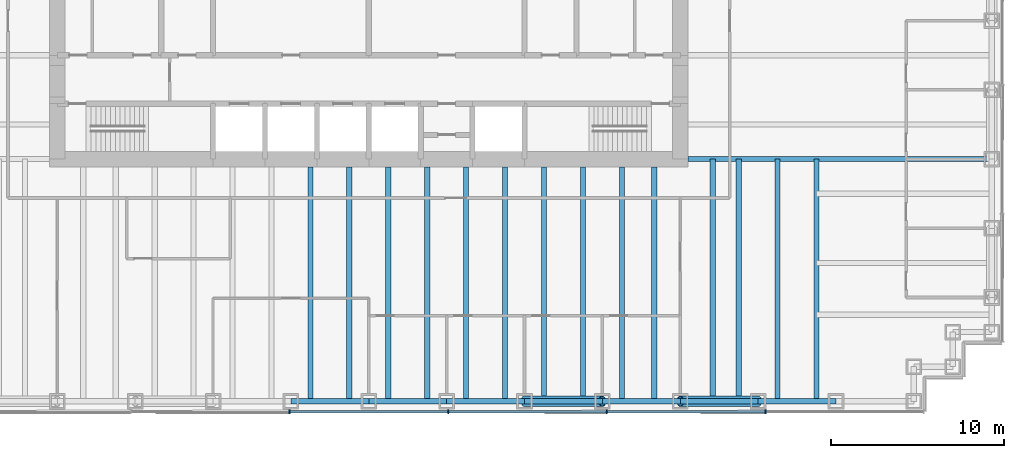
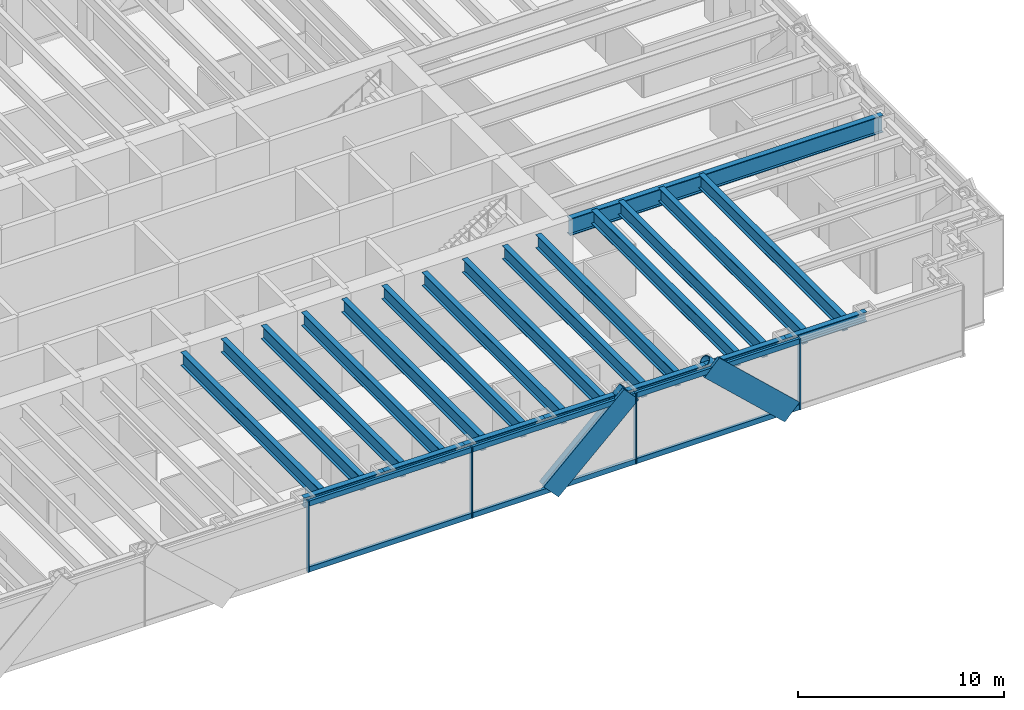
# One storey, part 4 of 15: 22 beams, 14 members, 1 element without a shape of its own.
"""IFC4 building model written with IfcOpenShell, lengths in metres."""

from ifc_helpers import new_model, si_unit, direction, frame, origin, origin_2d, place, context, subcontext, project, spatial, rectangle, hollow_circle, i_section, extrude, material, material_profile, profile_set, type_object, element, aggregate, save


model = new_model("IFC4")

# Units and contexts
model_context = context("Model", 3, precision=1e-05, world=origin(), true_north=direction((0.0, 1.0)))
body_context = subcontext(model_context, "Body", "Model", "MODEL_VIEW")
ifc_project = project(units=[si_unit("LENGTHUNIT", "METRE"), si_unit("AREAUNIT", "SQUARE_METRE"), si_unit("VOLUMEUNIT", "CUBIC_METRE"), si_unit("PLANEANGLEUNIT", "RADIAN"), si_unit("MASSUNIT", "GRAM", prefix="KILO")], contexts=[model_context])

# Site, building, storey
site_placement = place(None, origin())
site = spatial("IfcSite", under=ifc_project, at=site_placement, CompositionType="ELEMENT")
building_placement = place(site_placement, origin())
building = spatial("IfcBuilding", under=site, at=building_placement, Name="Rheinbord Bourse Tower", CompositionType="ELEMENT")
storey_placement = place(building_placement, frame((0.0, 0.0, 134.10009765625)))
storey = spatial("IfcBuildingStorey", under=building, at=storey_placement, Name="L29", CompositionType="ELEMENT", Elevation=134.10009765625)

# Curtain wall, members
ifc_material_1 = material(Name="Dark glass and black aluminium", Category="aluminium")
curtain_wall_type = type_object("IfcCurtainWallType", Name="CW2 DARK GLASS CURTAIN WALL", PredefinedType="USERDEFINED", material=ifc_material_1)
curtain_wall_placement = place(storey_placement, origin())
curtain_wall = element("IfcCurtainWall", 1, at=curtain_wall_placement, inside=storey, type_object=curtain_wall_type, Name="Curtain wall CW2 S L29", ObjectType="UNITISED CURTAIN WALL", PredefinedType="USERDEFINED")
ifc_material_2 = material(Name="Black anodised aluminium", Category="aluminium")
ifc_material_profile_1 = material_profile(ifc_material_2, rectangle(XDim=0.159912109375, YDim=1.2099609375, at=origin_2d()), Name="CW2 DIAGONAL MULLION 1210x160")
ifc_profile_set_1 = profile_set([ifc_material_profile_1], Name="Black anodised aluminium")
member_type_1 = type_object("IfcMemberType", Name="CW2 BLACK DIAGONAL MULLION", PredefinedType="USERDEFINED", material=ifc_profile_set_1)
member_1_placement = place(storey_placement, frame((58.5, 1.39990234375, 0.0), z_axis=(-0.73105922506, 0.0, 0.682314010889), x_axis=(0.0, -1.0, 0.0)))
member_1 = element("IfcMember", 2, at=member_1_placement, type_object=member_type_1, Name="CW2 diagonal mullion b", ObjectType="DIAGONAL MULLION", PredefinedType="USERDEFINED", context=body_context, shape_type="SweptSolid", body=[
    extrude(rectangle(XDim=0.159912109375, YDim=1.2099609375, at=origin_2d()), origin(), (0.0, 0.0, 1.0), 6.155517578125),
])
member_2_placement = place(storey_placement, frame((45.0, 1.39990234375, 0.0), z_axis=(0.73105922506, 0.0, 0.682314010889), x_axis=(0.0, 1.0, 0.0)))
member_2 = element("IfcMember", 3, at=member_2_placement, type_object=member_type_1, Name="CW2 diagonal mullion c", ObjectType="DIAGONAL MULLION", PredefinedType="USERDEFINED", context=body_context, shape_type="SweptSolid", body=[
    extrude(rectangle(XDim=0.159912109375, YDim=1.2099609375, at=origin_2d()), origin(), (0.0, 0.0, 1.0), 6.155517578125),
])
ifc_material_3 = material(Name="Black anodised aluminium", Category="aluminium")
ifc_material_profile_2 = material_profile(ifc_material_3, rectangle(XDim=0.219970703125, YDim=0.070068359375, at=origin_2d()), Name="CW2 MULLION 70x220")
ifc_profile_set_2 = profile_set([ifc_material_profile_2], Name="Black anodised aluminium")
member_type_2 = type_object("IfcMemberType", Name="CW2 BLACK MULLION", PredefinedType="MULLION", material=ifc_profile_set_2)
member_3_placement = place(storey_placement, frame((31.414306640625, 1.39990234375, 0.0), z_axis=(0.0, 0.0, 1.0), x_axis=(0.0, 1.0, 0.0)))
member_3 = element("IfcMember", 4, at=member_3_placement, type_object=member_type_2, Name="CW2 mullion 4", PredefinedType="MULLION", context=body_context, shape_type="SweptSolid", body=[
    extrude(rectangle(XDim=0.219970703125, YDim=0.070068359375, at=origin_2d()), origin(), (0.0, 0.0, 1.0), 4.199951171875),
])
member_4_placement = place(storey_placement, frame((40.585693359375, 1.39990234375, 0.0), z_axis=(0.0, 0.0, 1.0), x_axis=(0.0, 1.0, 0.0)))
member_4 = element("IfcMember", 5, at=member_4_placement, type_object=member_type_2, Name="CW2 mullion 5", PredefinedType="MULLION", context=body_context, shape_type="SweptSolid", body=[
    extrude(rectangle(XDim=0.219970703125, YDim=0.070068359375, at=origin_2d()), origin(), (0.0, 0.0, 1.0), 4.199951171875),
])
member_5_placement = place(storey_placement, frame((49.757080078125, 1.39990234375, 0.0), z_axis=(0.0, 0.0, 1.0), x_axis=(0.0, 1.0, 0.0)))
member_5 = element("IfcMember", 6, at=member_5_placement, type_object=member_type_2, Name="CW2 mullion 6", PredefinedType="MULLION", context=body_context, shape_type="SweptSolid", body=[
    extrude(rectangle(XDim=0.219970703125, YDim=0.070068359375, at=origin_2d()), origin(), (0.0, 0.0, 1.0), 4.199951171875),
])
member_6_placement = place(storey_placement, frame((58.928466796875, 1.39990234375, 0.0), z_axis=(0.0, 0.0, 1.0), x_axis=(0.0, 1.0, 0.0)))
member_6 = element("IfcMember", 7, at=member_6_placement, type_object=member_type_2, Name="CW2 mullion 7", PredefinedType="MULLION", context=body_context, shape_type="SweptSolid", body=[
    extrude(rectangle(XDim=0.219970703125, YDim=0.070068359375, at=origin_2d()), origin(), (0.0, 0.0, 1.0), 4.199951171875),
])
ifc_material_4 = material(Name="Black anodised aluminium", Category="aluminium")
ifc_material_profile_3 = material_profile(ifc_material_4, rectangle(XDim=0.159912109375, YDim=0.300048828125, at=origin_2d()), Name="CW2 TRANSOM 300x160")
ifc_profile_set_3 = profile_set([ifc_material_profile_3], Name="Black anodised aluminium")
member_type_3 = type_object("IfcMemberType", Name="CW2 BLACK TRANSOM", PredefinedType="USERDEFINED", material=ifc_profile_set_3)
member_7_placement = place(storey_placement, frame((31.44921875, 1.39990234375, 0.14990234375), z_axis=(1.0, 0.0, 0.0), x_axis=(0.0, 1.0, 0.0)))
member_7 = element("IfcMember", 8, at=member_7_placement, type_object=member_type_3, Name="CW2 transom 4.1", ObjectType="TRANSOM", PredefinedType="USERDEFINED", context=body_context, shape_type="SweptSolid", body=[
    extrude(rectangle(XDim=0.159912109375, YDim=0.300048828125, at=origin_2d()), origin(), (0.0, 0.0, 1.0), 9.1015625),
])
member_8_placement = place(storey_placement, frame((31.44921875, 1.39990234375, 4.0498046875), z_axis=(1.0, 0.0, 0.0), x_axis=(0.0, 1.0, 0.0)))
member_8 = element("IfcMember", 9, at=member_8_placement, type_object=member_type_3, Name="CW2 transom 4.2", ObjectType="TRANSOM", PredefinedType="USERDEFINED", context=body_context, shape_type="SweptSolid", body=[
    extrude(rectangle(XDim=0.159912109375, YDim=0.300048828125, at=origin_2d()), origin(), (0.0, 0.0, 1.0), 9.1015625),
])
member_9_placement = place(storey_placement, frame((40.62060546875, 1.39990234375, 0.14990234375), z_axis=(1.0, 0.0, 0.0), x_axis=(0.0, 1.0, 0.0)))
member_9 = element("IfcMember", 10, at=member_9_placement, type_object=member_type_3, Name="CW2 transom 5.1", ObjectType="TRANSOM", PredefinedType="USERDEFINED", context=body_context, shape_type="SweptSolid", body=[
    extrude(rectangle(XDim=0.159912109375, YDim=0.300048828125, at=origin_2d()), origin(), (0.0, 0.0, 1.0), 9.1015625),
])
member_10_placement = place(storey_placement, frame((40.62060546875, 1.39990234375, 4.0498046875), z_axis=(1.0, 0.0, 0.0), x_axis=(0.0, 1.0, 0.0)))
member_10 = element("IfcMember", 11, at=member_10_placement, type_object=member_type_3, Name="CW2 transom 5.2", ObjectType="TRANSOM", PredefinedType="USERDEFINED", context=body_context, shape_type="SweptSolid", body=[
    extrude(rectangle(XDim=0.159912109375, YDim=0.300048828125, at=origin_2d()), origin(), (0.0, 0.0, 1.0), 9.1015625),
])
member_11_placement = place(storey_placement, frame((49.792236328125, 1.39990234375, 0.14990234375), z_axis=(1.0, 0.0, 0.0), x_axis=(0.0, 1.0, 0.0)))
member_11 = element("IfcMember", 12, at=member_11_placement, type_object=member_type_3, Name="CW2 transom 6.1", ObjectType="TRANSOM", PredefinedType="USERDEFINED", context=body_context, shape_type="SweptSolid", body=[
    extrude(rectangle(XDim=0.159912109375, YDim=0.300048828125, at=origin_2d()), origin(), (0.0, 0.0, 1.0), 9.101318359375),
])
member_12_placement = place(storey_placement, frame((49.792236328125, 1.39990234375, 4.0498046875), z_axis=(1.0, 0.0, 0.0), x_axis=(0.0, 1.0, 0.0)))
member_12 = element("IfcMember", 13, at=member_12_placement, type_object=member_type_3, Name="CW2 transom 6.2", ObjectType="TRANSOM", PredefinedType="USERDEFINED", context=body_context, shape_type="SweptSolid", body=[
    extrude(rectangle(XDim=0.159912109375, YDim=0.300048828125, at=origin_2d()), origin(), (0.0, 0.0, 1.0), 9.101318359375),
])
aggregate(curtain_wall, [member_3, member_4, member_5, member_6, member_7, member_8, member_9, member_10, member_11, member_12, member_1, member_2])

# Beams
ifc_material_5 = material(Name="Steel S460", Category="steel")
ifc_material_profile_4 = material_profile(ifc_material_5, i_section(OverallWidth=0.300048828125, OverallDepth=0.800048828125, WebThickness=0.017578125, FlangeThickness=0.032958984375, at=origin_2d()), Name="HEB 800")
ifc_profile_set_4 = profile_set([ifc_material_profile_4], Name="Steel S460")
beam_type_1 = type_object("IfcBeamType", Name="FLOOR BEAM HEB 800", PredefinedType="BEAM", material=ifc_profile_set_4)
for number, where, z_axis, x_axis, name in (
    (14, (32.625, 2.0, 3.639892578125), (0.0, 1.0, 0.0), (-1.0, 0.0, 0.0), "Floor beam S-31.5a L30"),
    (15, (34.875, 2.0, 3.639892578125), (0.0, 1.0, 0.0), (-1.0, 0.0, 0.0), "Floor beam S-31.5b L30"),
    (16, (37.125, 2.0, 3.639892578125), (0.0, 1.0, 0.0), (-1.0, 0.0, 0.0), "Floor beam S-36a L30"),
    (17, (39.375, 2.0, 3.639892578125), (0.0, 1.0, 0.0), (-1.0, 0.0, 0.0), "Floor beam S-36b L30"),
    (18, (41.625, 2.0, 3.639892578125), (0.0, 1.0, 0.0), (-1.0, 0.0, 0.0), "Floor beam S-40.5a L30"),
    (19, (43.875, 2.0, 3.639892578125), (0.0, 1.0, 0.0), (-1.0, 0.0, 0.0), "Floor beam S-40.5b L30"),
    (20, (46.125, 2.0, 3.639892578125), (0.0, 1.0, 0.0), (-1.0, 0.0, 0.0), "Floor beam S-45a L30"),
    (21, (48.375, 2.0, 3.639892578125), (0.0, 1.0, 0.0), (-1.0, 0.0, 0.0), "Floor beam S-45b L30"),
    (22, (50.625, 2.0, 3.639892578125), (0.0, 1.0, 0.0), (-1.0, 0.0, 0.0), "Floor beam S-49.5a L30"),
    (23, (52.5, 2.0, 3.639892578125), (0.0, 1.0, 0.0), (-1.0, 0.0, 0.0), "Floor beam S-49.5b L30"),
):
    element("IfcBeam", number, at=place(storey_placement, frame(where, z_axis=z_axis, x_axis=x_axis)), inside=storey, type_object=beam_type_1, Name=name, PredefinedType="BEAM", context=body_context, shape_type="SweptSolid", body=[
        extrude(i_section(OverallWidth=0.300048828125, OverallDepth=0.800048828125, WebThickness=0.017578125, FlangeThickness=0.032958984375, at=origin_2d()), origin(), (0.0, 0.0, 1.0), 13.550048828125),
    ])
for number, where, z_axis, x_axis, name in (
    (24, (55.875, 2.0, 3.639892578125), (0.0, 1.0, 0.0), (-1.0, 0.0, 0.0), "Floor beam S-54a L30"),
    (25, (57.375, 2.0, 3.639892578125), (0.0, 1.0, 0.0), (-1.0, 0.0, 0.0), "Floor beam S-54b L30"),
    (26, (59.625, 2.0, 3.639892578125), (0.0, 1.0, 0.0), (-1.0, 0.0, 0.0), "Floor beam S-58.5a L30"),
    (27, (61.875, 2.0, 3.639892578125), (0.0, 1.0, 0.0), (-1.0, 0.0, 0.0), "Floor beam S-58.5b L30"),
):
    element("IfcBeam", number, at=place(storey_placement, frame(where, z_axis=z_axis, x_axis=x_axis)), inside=storey, type_object=beam_type_1, Name=name, PredefinedType="BEAM", context=body_context, shape_type="SweptSolid", body=[
        extrude(i_section(OverallWidth=0.300048828125, OverallDepth=0.800048828125, WebThickness=0.017578125, FlangeThickness=0.032958984375, at=origin_2d()), origin(), (0.0, 0.0, 1.0), 14.0),
    ])
ifc_material_6 = material(Name="Steel S460", Category="steel")
ifc_material_profile_5 = material_profile(ifc_material_6, i_section(OverallWidth=0.302001953125, OverallDepth=1.008056640625, WebThickness=0.02099609375, FlangeThickness=0.0400390625, at=origin_2d()), Name="HEM 1000")
ifc_profile_set_5 = profile_set([ifc_material_profile_5], Name="Steel S460")
beam_type_2 = type_object("IfcBeamType", Name="GIRDER HEM 1000", PredefinedType="BEAM", material=ifc_profile_set_5)
beam_placement = place(storey_placement, frame((54.449951171875, 16.0, 3.535888671875), z_axis=(1.0, 0.0, 0.0), x_axis=(0.0, 1.0, 0.0)))
element("IfcBeam", 28, at=beam_placement, inside=storey, type_object=beam_type_2, Name="Girder east 16 L30", PredefinedType="BEAM", context=body_context, shape_type="SweptSolid", body=[
    extrude(i_section(OverallWidth=0.302001953125, OverallDepth=1.008056640625, WebThickness=0.02099609375, FlangeThickness=0.0400390625, at=origin_2d()), origin(), (0.0, 0.0, 1.0), 17.550048828125),
])

# Members
ifc_material_7 = material(Name="Steel S460", Category="steel")
ifc_material_profile_6 = material_profile(ifc_material_7, hollow_circle(Radius=0.304931640625, WallThickness=0.0400390625, at=origin_2d()), Name="CHS 610x40")
ifc_profile_set_6 = profile_set([ifc_material_profile_6], Name="Steel S460")
member_type_4 = type_object("IfcMemberType", Name="MEGABRACE CHS 610x40", PredefinedType="BRACE", material=ifc_profile_set_6)
for number, where, z_axis, x_axis, name in (
    (29, (58.5, 2.0, 0.0), (-0.73105922506, 0.0, 0.682314010889), (0.0, -1.0, 0.0), "Megabrace S face line b L29"),
    (30, (45.0, 2.0, 0.0), (0.73105922506, 0.0, 0.682314010889), (0.0, 1.0, 0.0), "Megabrace S face line c L29"),
):
    element("IfcMember", number, at=place(storey_placement, frame(where, z_axis=z_axis, x_axis=x_axis)), inside=storey, type_object=member_type_4, Name=name, PredefinedType="BRACE", context=body_context, shape_type="SweptSolid", body=[
        extrude(hollow_circle(Radius=0.304931640625, WallThickness=0.0400390625, at=origin_2d()), origin(), (0.0, 0.0, 1.0), 6.155517578125),
    ])

# Beams
ifc_material_8 = material(Name="Steel S460", Category="steel")
ifc_material_profile_7 = material_profile(ifc_material_8, i_section(OverallWidth=0.305908203125, OverallDepth=0.572021484375, WebThickness=0.02099609375, FlangeThickness=0.0400390625, at=origin_2d()), Name="HEM 550")
ifc_profile_set_7 = profile_set([ifc_material_profile_7], Name="Steel S460")
beam_type_3 = type_object("IfcBeamType", Name="SPANDREL HEM 550", PredefinedType="SPANDREL", material=ifc_profile_set_7)
for number, where, z_axis, x_axis, name in (
    (31, (31.5, 2.0, 3.75390625), (1.0, 0.0, 0.0), (0.0, 1.0, 0.0), "Spandrel S-31.5-S-36 under L30"),
    (32, (36.0, 2.0, 3.75390625), (1.0, 0.0, 0.0), (0.0, 1.0, 0.0), "Spandrel S-36-S-40.5 under L30"),
    (33, (40.5, 2.0, 3.75390625), (1.0, 0.0, 0.0), (0.0, 1.0, 0.0), "Spandrel S-40.5-S-45 under L30"),
    (34, (45.0, 2.0, 3.75390625), (1.0, 0.0, 0.0), (0.0, 1.0, 0.0), "Spandrel S-45-S-49.5 under L30"),
    (35, (49.5, 2.0, 3.75390625), (1.0, 0.0, 0.0), (0.0, 1.0, 0.0), "Spandrel S-49.5-S-54 under L30"),
    (36, (54.0, 2.0, 3.75390625), (1.0, 0.0, 0.0), (0.0, 1.0, 0.0), "Spandrel S-54-S-58.5 under L30"),
    (37, (58.5, 2.0, 3.75390625), (1.0, 0.0, 0.0), (0.0, 1.0, 0.0), "Spandrel S-58.5-S-63 under L30"),
):
    element("IfcBeam", number, at=place(storey_placement, frame(where, z_axis=z_axis, x_axis=x_axis)), inside=storey, type_object=beam_type_3, Name=name, PredefinedType="SPANDREL", context=body_context, shape_type="SweptSolid", body=[
        extrude(i_section(OverallWidth=0.305908203125, OverallDepth=0.572021484375, WebThickness=0.02099609375, FlangeThickness=0.0400390625, at=origin_2d()), origin(), (0.0, 0.0, 1.0), 4.5),
    ])

save(model, "model.ifc")
